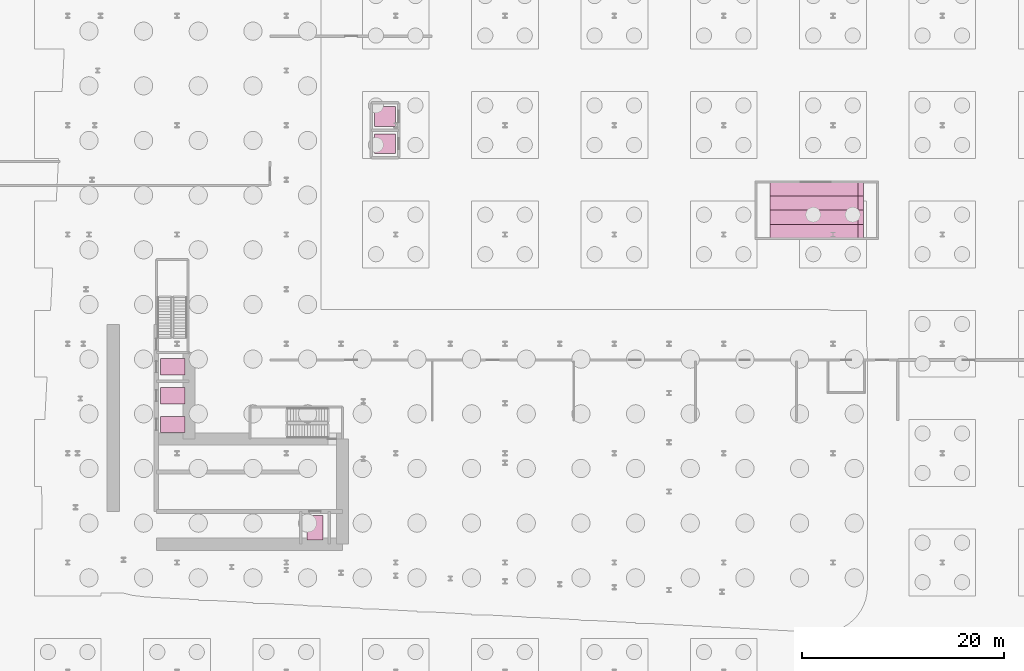
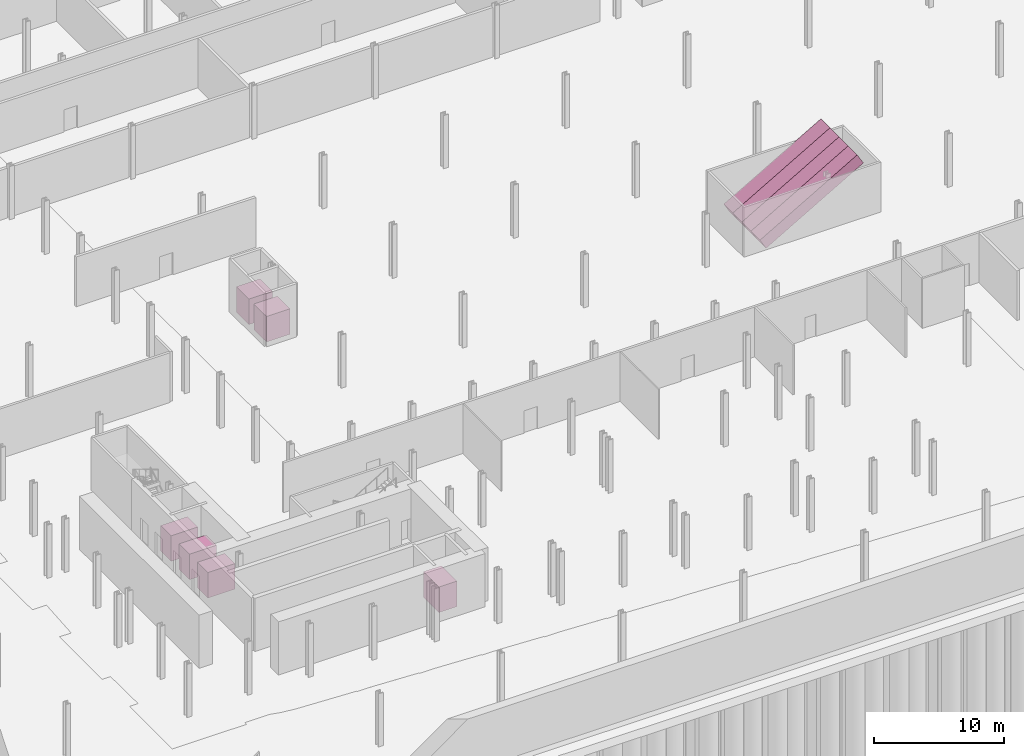
# One storey, part 23 of 23: 10 transport elements.
"""IFC4 building model written with IfcOpenShell, lengths in metres."""

from ifc_helpers import new_model, si_unit, direction, frame, origin, origin_2d, place, context, subcontext, project, spatial, rectangle, extrude, material, material_profile, profile_set, type_object, element, save


model = new_model("IFC4")

# Units and contexts
model_context = context("Model", 3, precision=1e-05, world=origin(), true_north=direction((0.0, 1.0)))
body_context = subcontext(model_context, "Body", "Model", "MODEL_VIEW")
ifc_project = project(units=[si_unit("LENGTHUNIT", "METRE"), si_unit("AREAUNIT", "SQUARE_METRE"), si_unit("VOLUMEUNIT", "CUBIC_METRE"), si_unit("PLANEANGLEUNIT", "RADIAN"), si_unit("MASSUNIT", "GRAM", prefix="KILO")], contexts=[model_context])

# Site, building, storey
site_placement = place(None, origin())
site = spatial("IfcSite", under=ifc_project, at=site_placement, CompositionType="ELEMENT")
building_placement = place(site_placement, origin())
building = spatial("IfcBuilding", under=site, at=building_placement, Name="Kheshtan School and Residences Tower", CompositionType="ELEMENT")
storey_placement = place(building_placement, frame((0.0, 0.0, -15.0)))
storey = spatial("IfcBuildingStorey", under=building, at=storey_placement, Name="B3", CompositionType="ELEMENT", Elevation=-15.0)

# Transport elements
ifc_material_1 = material(Name="Stainless steel escalator truss", Category="steel")
ifc_material_profile = material_profile(ifc_material_1, rectangle(XDim=1.39990234375, YDim=1.10009765625, at=origin_2d()), Name="Escalator 1400 truss")
ifc_profile_set = profile_set([ifc_material_profile], Name="Stainless steel escalator truss")
transport_element_type_1 = type_object("IfcTransportElementType", Name="Escalator 1400 truss", PredefinedType="ESCALATOR", material=ifc_profile_set)
for number, where, z_axis, x_axis, name in (
    (1, (95.669921875, 56.699951171875, 0.550048828125), (0.866022959057, 0.0, 0.500004234368), (0.0, 1.0, 0.0), "Escalator ES31 (up)"),
    (2, (95.669921875, 58.10009765625, 0.550048828125), (0.866022959057, 0.0, 0.500004234368), (0.0, 1.0, 0.0), "Escalator ES32 (down)"),
    (3, (95.669921875, 59.5, 0.550048828125), (0.866022959057, 0.0, 0.500004234368), (0.0, 1.0, 0.0), "Escalator ES33 (up)"),
    (4, (95.669921875, 60.89990234375, 0.550048828125), (0.866022959057, 0.0, 0.500004234368), (0.0, 1.0, 0.0), "Escalator ES34 (down)"),
):
    element("IfcTransportElement", number, at=place(storey_placement, frame(where, z_axis=z_axis, x_axis=x_axis)), inside=storey, type_object=transport_element_type_1, Name=name, PredefinedType="ESCALATOR", context=body_context, shape_type="SweptSolid", body=[
        extrude(rectangle(XDim=1.39990234375, YDim=1.10009765625, at=origin_2d()), origin(), (0.0, 0.0, 1.0), 10.0),
    ])
ifc_material_2 = material(Name="Stainless steel car", Category="steel")
transport_element_type_2 = type_object("IfcTransportElementType", Name="Firefighting lift car 1600 kg", PredefinedType="ELEVATOR", material=ifc_material_2)
transport_element_1_placement = place(storey_placement, frame((36.375, 43.324951171875, 0.050048828125), z_axis=(0.0, 0.0, 1.0), x_axis=(1.0, 0.0, 0.0)))
element("IfcTransportElement", 5, at=transport_element_1_placement, inside=storey, type_object=transport_element_type_2, Name="Lift FFL1", PredefinedType="ELEVATOR", context=body_context, shape_type="SweptSolid", body=[
    extrude(rectangle(XDim=2.39990234375, YDim=1.60009765625, at=origin_2d()), origin(), (0.0, 0.0, 1.0), 2.39990234375),
])
transport_element_2_placement = place(storey_placement, frame((50.425048828125, 27.425048828125, 0.050048828125), z_axis=(0.0, 0.0, 1.0), x_axis=(1.0, 0.0, 0.0)))
element("IfcTransportElement", 6, at=transport_element_2_placement, inside=storey, type_object=transport_element_type_2, Name="Lift FFL2", PredefinedType="ELEVATOR", context=body_context, shape_type="SweptSolid", body=[
    extrude(rectangle(XDim=1.60009765625, YDim=2.39990234375, at=origin_2d()), origin(), (0.0, 0.0, 1.0), 2.39990234375),
])
ifc_material_3 = material(Name="Stainless steel car with glass panels", Category="steel")
transport_element_type_3 = type_object("IfcTransportElementType", Name="Passenger lift car 2000 kg", PredefinedType="ELEVATOR", material=ifc_material_3)
for number, where, z_axis, x_axis, name in (
    (7, (57.35009765625, 65.35009765625, 0.050048828125), (0.0, 0.0, 1.0), (1.0, 0.0, 0.0), "Lift ML1"),
    (8, (57.35009765625, 68.050048828125, 0.050048828125), (0.0, 0.0, 1.0), (1.0, 0.0, 0.0), "Lift ML2"),
):
    element("IfcTransportElement", number, at=place(storey_placement, frame(where, z_axis=z_axis, x_axis=x_axis)), inside=storey, type_object=transport_element_type_3, Name=name, PredefinedType="ELEVATOR", context=body_context, shape_type="SweptSolid", body=[
        extrude(rectangle(XDim=2.10009765625, YDim=1.949951171875, at=origin_2d()), origin(), (0.0, 0.0, 1.0), 2.39990234375),
    ])
transport_element_type_4 = type_object("IfcTransportElementType", Name="Service lift car 1600 kg", PredefinedType="ELEVATOR", material=ifc_material_2)
for number, where, z_axis, x_axis, name in (
    (9, (36.375, 37.625, 0.050048828125), (0.0, 0.0, 1.0), (1.0, 0.0, 0.0), "Lift SV1"),
    (10, (36.375, 40.47509765625, 0.050048828125), (0.0, 0.0, 1.0), (1.0, 0.0, 0.0), "Lift SV2"),
):
    element("IfcTransportElement", number, at=place(storey_placement, frame(where, z_axis=z_axis, x_axis=x_axis)), inside=storey, type_object=transport_element_type_4, Name=name, PredefinedType="ELEVATOR", context=body_context, shape_type="SweptSolid", body=[
        extrude(rectangle(XDim=2.39990234375, YDim=1.60009765625, at=origin_2d()), origin(), (0.0, 0.0, 1.0), 2.39990234375),
    ])

save(model, "model.ifc")
